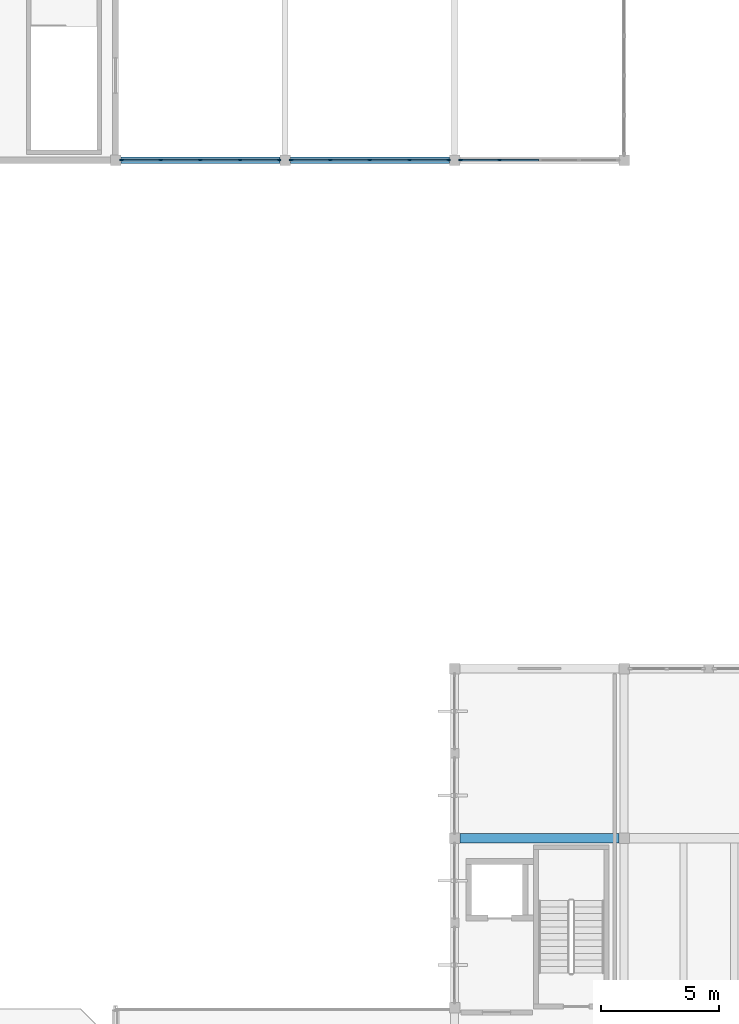
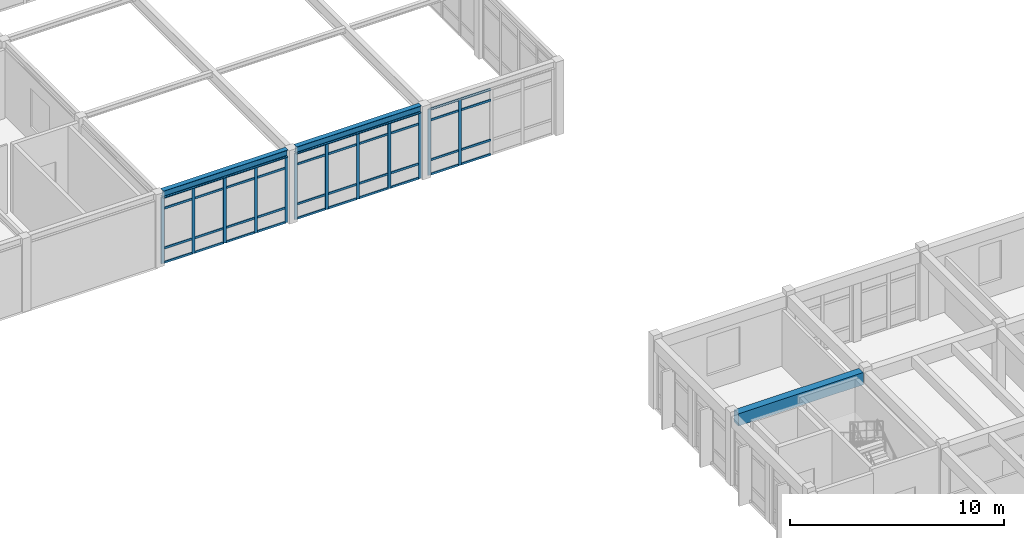
# One storey, part 40 of 136: 52 members, 3 beams, 3 elements without a shape of their own.
"""IFC4 building model written with IfcOpenShell, lengths in metres."""

from ifc_helpers import new_model, si_unit, direction, frame, origin, origin_2d, place, context, subcontext, project, spatial, rectangle, i_section, extrude, material, layer, layer_set, material_profile, profile_set, type_object, element, aggregate, save


model = new_model("IFC4")

# Units and contexts
model_context = context("Model", 3, precision=1e-05, world=origin(), true_north=direction((0.0, 1.0)))
body_context = subcontext(model_context, "Body", "Model", "MODEL_VIEW")
ifc_project = project(units=[si_unit("LENGTHUNIT", "METRE"), si_unit("AREAUNIT", "SQUARE_METRE"), si_unit("VOLUMEUNIT", "CUBIC_METRE"), si_unit("PLANEANGLEUNIT", "RADIAN"), si_unit("MASSUNIT", "GRAM", prefix="KILO")], contexts=[model_context])

# Site, building, storey
site_placement = place(None, origin())
site = spatial("IfcSite", under=ifc_project, at=site_placement, CompositionType="ELEMENT")
building_placement = place(site_placement, origin())
building = spatial("IfcBuilding", under=site, at=building_placement, Name="Koriwan Promenade Central Fire Station", CompositionType="ELEMENT")
storey_placement = place(building_placement, frame((0.0, 0.0, 5.39990234375)))
storey = spatial("IfcBuildingStorey", under=building, at=storey_placement, Name="L01", CompositionType="ELEMENT", Elevation=5.39990234375)

# Beam
ifc_material_1 = material(Name="Concrete C35/45", Category="concrete")
ifc_material_profile_1 = material_profile(ifc_material_1, rectangle(XDim=0.39990234375, YDim=0.699951171875, at=origin_2d()), Name="RC-BM-400x700")
ifc_profile_set_1 = profile_set([ifc_material_profile_1], Name="Concrete C35/45")
beam_type_1 = type_object("IfcBeamType", Name="Beam_RC-BM-400x700", PredefinedType="BEAM", material=ifc_profile_set_1)
beam_placement = place(storey_placement, frame((29.02490234375, 64.800048828125, 3.60009765625), z_axis=(1.0, 0.0, 0.0), x_axis=(0.0, 1.0, 0.0)))
element("IfcBeam", 1, at=beam_placement, inside=storey, type_object=beam_type_1, Name="V4 L01 girder X-424", PredefinedType="BEAM", context=body_context, shape_type="SweptSolid", body=[
    extrude(rectangle(XDim=0.39990234375, YDim=0.699951171875, at=origin_2d()), origin(), (0.0, 0.0, 1.0), 6.75),
])

# Curtain wall, members
ifc_material_2 = material(Name="Aluminium EN AW-6063-T6 and low-E glazing", Category="aluminium")
ifc_layer = layer(ifc_material_2, 0.159912109375, Name="Aluminium EN AW-6063-T6 and low-E glazing")
ifc_layer_set = layer_set([ifc_layer], Name="Aluminium EN AW-6063-T6 and low-E glazing")
curtain_wall_type = type_object("IfcCurtainWallType", Name="CurtainWall_94_675x378", PredefinedType="USERDEFINED", material=ifc_layer_set)
curtain_wall_1_placement = place(storey_placement, origin())
curtain_wall_1 = element("IfcCurtainWall", 2, at=curtain_wall_1_placement, inside=storey, type_object=curtain_wall_type, Name="V6 L01 unitised curtain wall 299", ObjectType="UNITISED CURTAIN WALL", PredefinedType="USERDEFINED")
ifc_material_3 = material(Name="Aluminium EN AW-6063-T6", Category="aluminium")
ifc_material_profile_2 = material_profile(ifc_material_3, rectangle(XDim=0.06494140625, YDim=0.159912109375, at=origin_2d()), Name="ALU-MUL-65x160")
ifc_profile_set_2 = profile_set([ifc_material_profile_2], Name="Aluminium EN AW-6063-T6")
member_type_1 = type_object("IfcMemberType", Name="CWMullion_ALU-MUL-65x160", PredefinedType="MULLION", material=ifc_profile_set_2)
member_1_placement = place(storey_placement, frame((14.657470703125, 93.60009765625, 0.0), z_axis=(0.0, 0.0, 1.0), x_axis=(0.0, 1.0, 0.0)))
member_1 = element("IfcMember", 3, at=member_1_placement, type_object=member_type_1, Name="CW-94 mullion 1", PredefinedType="MULLION", context=body_context, shape_type="SweptSolid", body=[
    extrude(rectangle(XDim=0.06494140625, YDim=0.159912109375, at=origin_2d()), origin(), (0.0, 0.0, 1.0), 3.775146484375),
])
member_2_placement = place(storey_placement, frame((16.3125, 93.60009765625, 0.0), z_axis=(0.0, 0.0, 1.0), x_axis=(0.0, 1.0, 0.0)))
member_2 = element("IfcMember", 4, at=member_2_placement, type_object=member_type_1, Name="CW-94 mullion 2", PredefinedType="MULLION", context=body_context, shape_type="SweptSolid", body=[
    extrude(rectangle(XDim=0.06494140625, YDim=0.159912109375, at=origin_2d()), origin(), (0.0, 0.0, 1.0), 3.775146484375),
])
member_3_placement = place(storey_placement, frame((18.0, 93.60009765625, 0.0), z_axis=(0.0, 0.0, 1.0), x_axis=(0.0, 1.0, 0.0)))
member_3 = element("IfcMember", 5, at=member_3_placement, type_object=member_type_1, Name="CW-94 mullion 3", PredefinedType="MULLION", context=body_context, shape_type="SweptSolid", body=[
    extrude(rectangle(XDim=0.06494140625, YDim=0.159912109375, at=origin_2d()), origin(), (0.0, 0.0, 1.0), 3.775146484375),
])
member_4_placement = place(storey_placement, frame((19.6875, 93.60009765625, 0.0), z_axis=(0.0, 0.0, 1.0), x_axis=(0.0, 1.0, 0.0)))
member_4 = element("IfcMember", 6, at=member_4_placement, type_object=member_type_1, Name="CW-94 mullion 4", PredefinedType="MULLION", context=body_context, shape_type="SweptSolid", body=[
    extrude(rectangle(XDim=0.06494140625, YDim=0.159912109375, at=origin_2d()), origin(), (0.0, 0.0, 1.0), 3.775146484375),
])
member_5_placement = place(storey_placement, frame((21.342529296875, 93.60009765625, 0.0), z_axis=(0.0, 0.0, 1.0), x_axis=(0.0, 1.0, 0.0)))
member_5 = element("IfcMember", 7, at=member_5_placement, type_object=member_type_1, Name="CW-94 mullion 5", PredefinedType="MULLION", context=body_context, shape_type="SweptSolid", body=[
    extrude(rectangle(XDim=0.06494140625, YDim=0.159912109375, at=origin_2d()), origin(), (0.0, 0.0, 1.0), 3.775146484375),
])

curtain_wall_2_placement = place(storey_placement, origin())
curtain_wall_2 = element("IfcCurtainWall", 8, at=curtain_wall_2_placement, inside=storey, type_object=curtain_wall_type, Name="V6 L01 unitised curtain wall 301", ObjectType="UNITISED CURTAIN WALL", PredefinedType="USERDEFINED")
member_6_placement = place(storey_placement, frame((21.857421875, 93.60009765625, 0.0), z_axis=(0.0, 0.0, 1.0), x_axis=(0.0, 1.0, 0.0)))
member_6 = element("IfcMember", 9, at=member_6_placement, type_object=member_type_1, Name="CW-94 mullion 1", PredefinedType="MULLION", context=body_context, shape_type="SweptSolid", body=[
    extrude(rectangle(XDim=0.06494140625, YDim=0.159912109375, at=origin_2d()), origin(), (0.0, 0.0, 1.0), 3.775146484375),
])
member_7_placement = place(storey_placement, frame((23.512451171875, 93.60009765625, 0.0), z_axis=(0.0, 0.0, 1.0), x_axis=(0.0, 1.0, 0.0)))
member_7 = element("IfcMember", 10, at=member_7_placement, type_object=member_type_1, Name="CW-94 mullion 2", PredefinedType="MULLION", context=body_context, shape_type="SweptSolid", body=[
    extrude(rectangle(XDim=0.06494140625, YDim=0.159912109375, at=origin_2d()), origin(), (0.0, 0.0, 1.0), 3.775146484375),
])
member_8_placement = place(storey_placement, frame((25.199951171875, 93.60009765625, 0.0), z_axis=(0.0, 0.0, 1.0), x_axis=(0.0, 1.0, 0.0)))
member_8 = element("IfcMember", 11, at=member_8_placement, type_object=member_type_1, Name="CW-94 mullion 3", PredefinedType="MULLION", context=body_context, shape_type="SweptSolid", body=[
    extrude(rectangle(XDim=0.06494140625, YDim=0.159912109375, at=origin_2d()), origin(), (0.0, 0.0, 1.0), 3.775146484375),
])
member_9_placement = place(storey_placement, frame((26.887451171875, 93.60009765625, 0.0), z_axis=(0.0, 0.0, 1.0), x_axis=(0.0, 1.0, 0.0)))
member_9 = element("IfcMember", 12, at=member_9_placement, type_object=member_type_1, Name="CW-94 mullion 4", PredefinedType="MULLION", context=body_context, shape_type="SweptSolid", body=[
    extrude(rectangle(XDim=0.06494140625, YDim=0.159912109375, at=origin_2d()), origin(), (0.0, 0.0, 1.0), 3.775146484375),
])
member_10_placement = place(storey_placement, frame((28.54248046875, 93.60009765625, 0.0), z_axis=(0.0, 0.0, 1.0), x_axis=(0.0, 1.0, 0.0)))
member_10 = element("IfcMember", 13, at=member_10_placement, type_object=member_type_1, Name="CW-94 mullion 5", PredefinedType="MULLION", context=body_context, shape_type="SweptSolid", body=[
    extrude(rectangle(XDim=0.06494140625, YDim=0.159912109375, at=origin_2d()), origin(), (0.0, 0.0, 1.0), 3.775146484375),
])

curtain_wall_3_placement = place(storey_placement, origin())
curtain_wall_3 = element("IfcCurtainWall", 14, at=curtain_wall_3_placement, inside=storey, type_object=curtain_wall_type, Name="V6 L01 unitised curtain wall 303", ObjectType="UNITISED CURTAIN WALL", PredefinedType="USERDEFINED")
member_11_placement = place(storey_placement, frame((29.0576171875, 93.60009765625, 0.0), z_axis=(0.0, 0.0, 1.0), x_axis=(0.0, 1.0, 0.0)))
member_11 = element("IfcMember", 15, at=member_11_placement, type_object=member_type_1, Name="CW-94 mullion 1", PredefinedType="MULLION", context=body_context, shape_type="SweptSolid", body=[
    extrude(rectangle(XDim=0.06494140625, YDim=0.159912109375, at=origin_2d()), origin(), (0.0, 0.0, 1.0), 3.775146484375),
])
member_12_placement = place(storey_placement, frame((30.71240234375, 93.60009765625, 0.0), z_axis=(0.0, 0.0, 1.0), x_axis=(0.0, 1.0, 0.0)))
member_12 = element("IfcMember", 16, at=member_12_placement, type_object=member_type_1, Name="CW-94 mullion 2", PredefinedType="MULLION", context=body_context, shape_type="SweptSolid", body=[
    extrude(rectangle(XDim=0.06494140625, YDim=0.159912109375, at=origin_2d()), origin(), (0.0, 0.0, 1.0), 3.775146484375),
])

# Member
ifc_material_profile_3 = material_profile(ifc_material_3, rectangle(XDim=0.06494140625, YDim=0.1201171875, at=origin_2d()), Name="ALU-TRN-65x120")
ifc_profile_set_3 = profile_set([ifc_material_profile_3], Name="Aluminium EN AW-6063-T6")
member_type_2 = type_object("IfcMemberType", Name="CWTransom_ALU-TRN-65x120", PredefinedType="USERDEFINED", material=ifc_profile_set_3)
member_13_placement = place(storey_placement, frame((14.68994140625, 93.60009765625, 0.03271484375), z_axis=(1.0, 0.0, 0.0), x_axis=(0.0, 1.0, 0.0)))
member_13 = element("IfcMember", 17, at=member_13_placement, type_object=member_type_2, Name="CW-94 transom 1.1", ObjectType="TRANSOM", PredefinedType="USERDEFINED", context=body_context, shape_type="SweptSolid", body=[
    extrude(rectangle(XDim=0.06494140625, YDim=0.1201171875, at=origin_2d()), origin(), (0.0, 0.0, 1.0), 1.590087890625),
])

member_14_placement = place(storey_placement, frame((14.68994140625, 93.60009765625, 0.85009765625), z_axis=(1.0, 0.0, 0.0), x_axis=(0.0, 1.0, 0.0)))
member_14 = element("IfcMember", 18, at=member_14_placement, type_object=member_type_2, Name="CW-94 transom 1.2", ObjectType="TRANSOM", PredefinedType="USERDEFINED", context=body_context, shape_type="SweptSolid", body=[
    extrude(rectangle(XDim=0.06494140625, YDim=0.1201171875, at=origin_2d()), origin(), (0.0, 0.0, 1.0), 1.590087890625),
])

member_15_placement = place(storey_placement, frame((14.68994140625, 93.60009765625, 3.125), z_axis=(1.0, 0.0, 0.0), x_axis=(0.0, 1.0, 0.0)))
member_15 = element("IfcMember", 19, at=member_15_placement, type_object=member_type_2, Name="CW-94 transom 1.3", ObjectType="TRANSOM", PredefinedType="USERDEFINED", context=body_context, shape_type="SweptSolid", body=[
    extrude(rectangle(XDim=0.06494140625, YDim=0.1201171875, at=origin_2d()), origin(), (0.0, 0.0, 1.0), 1.590087890625),
])

member_16_placement = place(storey_placement, frame((14.68994140625, 93.60009765625, 3.74267578125), z_axis=(1.0, 0.0, 0.0), x_axis=(0.0, 1.0, 0.0)))
member_16 = element("IfcMember", 20, at=member_16_placement, type_object=member_type_2, Name="CW-94 transom 1.4", ObjectType="TRANSOM", PredefinedType="USERDEFINED", context=body_context, shape_type="SweptSolid", body=[
    extrude(rectangle(XDim=0.06494140625, YDim=0.1201171875, at=origin_2d()), origin(), (0.0, 0.0, 1.0), 1.590087890625),
])

member_17_placement = place(storey_placement, frame((16.344970703125, 93.60009765625, 0.03271484375), z_axis=(1.0, 0.0, 0.0), x_axis=(0.0, 1.0, 0.0)))
member_17 = element("IfcMember", 21, at=member_17_placement, type_object=member_type_2, Name="CW-94 transom 2.1", ObjectType="TRANSOM", PredefinedType="USERDEFINED", context=body_context, shape_type="SweptSolid", body=[
    extrude(rectangle(XDim=0.06494140625, YDim=0.1201171875, at=origin_2d()), origin(), (0.0, 0.0, 1.0), 1.62255859375),
])

member_18_placement = place(storey_placement, frame((16.344970703125, 93.60009765625, 0.85009765625), z_axis=(1.0, 0.0, 0.0), x_axis=(0.0, 1.0, 0.0)))
member_18 = element("IfcMember", 22, at=member_18_placement, type_object=member_type_2, Name="CW-94 transom 2.2", ObjectType="TRANSOM", PredefinedType="USERDEFINED", context=body_context, shape_type="SweptSolid", body=[
    extrude(rectangle(XDim=0.06494140625, YDim=0.1201171875, at=origin_2d()), origin(), (0.0, 0.0, 1.0), 1.62255859375),
])

member_19_placement = place(storey_placement, frame((16.344970703125, 93.60009765625, 3.125), z_axis=(1.0, 0.0, 0.0), x_axis=(0.0, 1.0, 0.0)))
member_19 = element("IfcMember", 23, at=member_19_placement, type_object=member_type_2, Name="CW-94 transom 2.3", ObjectType="TRANSOM", PredefinedType="USERDEFINED", context=body_context, shape_type="SweptSolid", body=[
    extrude(rectangle(XDim=0.06494140625, YDim=0.1201171875, at=origin_2d()), origin(), (0.0, 0.0, 1.0), 1.62255859375),
])

member_20_placement = place(storey_placement, frame((16.344970703125, 93.60009765625, 3.74267578125), z_axis=(1.0, 0.0, 0.0), x_axis=(0.0, 1.0, 0.0)))
member_20 = element("IfcMember", 24, at=member_20_placement, type_object=member_type_2, Name="CW-94 transom 2.4", ObjectType="TRANSOM", PredefinedType="USERDEFINED", context=body_context, shape_type="SweptSolid", body=[
    extrude(rectangle(XDim=0.06494140625, YDim=0.1201171875, at=origin_2d()), origin(), (0.0, 0.0, 1.0), 1.62255859375),
])

member_21_placement = place(storey_placement, frame((18.032470703125, 93.60009765625, 0.03271484375), z_axis=(1.0, 0.0, 0.0), x_axis=(0.0, 1.0, 0.0)))
member_21 = element("IfcMember", 25, at=member_21_placement, type_object=member_type_2, Name="CW-94 transom 3.1", ObjectType="TRANSOM", PredefinedType="USERDEFINED", context=body_context, shape_type="SweptSolid", body=[
    extrude(rectangle(XDim=0.06494140625, YDim=0.1201171875, at=origin_2d()), origin(), (0.0, 0.0, 1.0), 1.62255859375),
])

member_22_placement = place(storey_placement, frame((18.032470703125, 93.60009765625, 0.85009765625), z_axis=(1.0, 0.0, 0.0), x_axis=(0.0, 1.0, 0.0)))
member_22 = element("IfcMember", 26, at=member_22_placement, type_object=member_type_2, Name="CW-94 transom 3.2", ObjectType="TRANSOM", PredefinedType="USERDEFINED", context=body_context, shape_type="SweptSolid", body=[
    extrude(rectangle(XDim=0.06494140625, YDim=0.1201171875, at=origin_2d()), origin(), (0.0, 0.0, 1.0), 1.62255859375),
])

member_23_placement = place(storey_placement, frame((18.032470703125, 93.60009765625, 3.125), z_axis=(1.0, 0.0, 0.0), x_axis=(0.0, 1.0, 0.0)))
member_23 = element("IfcMember", 27, at=member_23_placement, type_object=member_type_2, Name="CW-94 transom 3.3", ObjectType="TRANSOM", PredefinedType="USERDEFINED", context=body_context, shape_type="SweptSolid", body=[
    extrude(rectangle(XDim=0.06494140625, YDim=0.1201171875, at=origin_2d()), origin(), (0.0, 0.0, 1.0), 1.62255859375),
])

member_24_placement = place(storey_placement, frame((18.032470703125, 93.60009765625, 3.74267578125), z_axis=(1.0, 0.0, 0.0), x_axis=(0.0, 1.0, 0.0)))
member_24 = element("IfcMember", 28, at=member_24_placement, type_object=member_type_2, Name="CW-94 transom 3.4", ObjectType="TRANSOM", PredefinedType="USERDEFINED", context=body_context, shape_type="SweptSolid", body=[
    extrude(rectangle(XDim=0.06494140625, YDim=0.1201171875, at=origin_2d()), origin(), (0.0, 0.0, 1.0), 1.62255859375),
])

member_25_placement = place(storey_placement, frame((19.719970703125, 93.60009765625, 0.03271484375), z_axis=(1.0, 0.0, 0.0), x_axis=(0.0, 1.0, 0.0)))
member_25 = element("IfcMember", 29, at=member_25_placement, type_object=member_type_2, Name="CW-94 transom 4.1", ObjectType="TRANSOM", PredefinedType="USERDEFINED", context=body_context, shape_type="SweptSolid", body=[
    extrude(rectangle(XDim=0.06494140625, YDim=0.1201171875, at=origin_2d()), origin(), (0.0, 0.0, 1.0), 1.590087890625),
])

member_26_placement = place(storey_placement, frame((19.719970703125, 93.60009765625, 0.85009765625), z_axis=(1.0, 0.0, 0.0), x_axis=(0.0, 1.0, 0.0)))
member_26 = element("IfcMember", 30, at=member_26_placement, type_object=member_type_2, Name="CW-94 transom 4.2", ObjectType="TRANSOM", PredefinedType="USERDEFINED", context=body_context, shape_type="SweptSolid", body=[
    extrude(rectangle(XDim=0.06494140625, YDim=0.1201171875, at=origin_2d()), origin(), (0.0, 0.0, 1.0), 1.590087890625),
])

member_27_placement = place(storey_placement, frame((19.719970703125, 93.60009765625, 3.125), z_axis=(1.0, 0.0, 0.0), x_axis=(0.0, 1.0, 0.0)))
member_27 = element("IfcMember", 31, at=member_27_placement, type_object=member_type_2, Name="CW-94 transom 4.3", ObjectType="TRANSOM", PredefinedType="USERDEFINED", context=body_context, shape_type="SweptSolid", body=[
    extrude(rectangle(XDim=0.06494140625, YDim=0.1201171875, at=origin_2d()), origin(), (0.0, 0.0, 1.0), 1.590087890625),
])

member_28_placement = place(storey_placement, frame((19.719970703125, 93.60009765625, 3.74267578125), z_axis=(1.0, 0.0, 0.0), x_axis=(0.0, 1.0, 0.0)))
member_28 = element("IfcMember", 32, at=member_28_placement, type_object=member_type_2, Name="CW-94 transom 4.4", ObjectType="TRANSOM", PredefinedType="USERDEFINED", context=body_context, shape_type="SweptSolid", body=[
    extrude(rectangle(XDim=0.06494140625, YDim=0.1201171875, at=origin_2d()), origin(), (0.0, 0.0, 1.0), 1.590087890625),
])

aggregate(curtain_wall_1, [member_1, member_2, member_3, member_4, member_5, member_13, member_14, member_15, member_16, member_17, member_18, member_19, member_20, member_21, member_22, member_23, member_24, member_25, member_26, member_27, member_28])

member_29_placement = place(storey_placement, frame((21.889892578125, 93.60009765625, 0.03271484375), z_axis=(1.0, 0.0, 0.0), x_axis=(0.0, 1.0, 0.0)))
member_29 = element("IfcMember", 33, at=member_29_placement, type_object=member_type_2, Name="CW-94 transom 1.1", ObjectType="TRANSOM", PredefinedType="USERDEFINED", context=body_context, shape_type="SweptSolid", body=[
    extrude(rectangle(XDim=0.06494140625, YDim=0.1201171875, at=origin_2d()), origin(), (0.0, 0.0, 1.0), 1.590087890625),
])

member_30_placement = place(storey_placement, frame((21.889892578125, 93.60009765625, 0.85009765625), z_axis=(1.0, 0.0, 0.0), x_axis=(0.0, 1.0, 0.0)))
member_30 = element("IfcMember", 34, at=member_30_placement, type_object=member_type_2, Name="CW-94 transom 1.2", ObjectType="TRANSOM", PredefinedType="USERDEFINED", context=body_context, shape_type="SweptSolid", body=[
    extrude(rectangle(XDim=0.06494140625, YDim=0.1201171875, at=origin_2d()), origin(), (0.0, 0.0, 1.0), 1.590087890625),
])

member_31_placement = place(storey_placement, frame((21.889892578125, 93.60009765625, 3.125), z_axis=(1.0, 0.0, 0.0), x_axis=(0.0, 1.0, 0.0)))
member_31 = element("IfcMember", 35, at=member_31_placement, type_object=member_type_2, Name="CW-94 transom 1.3", ObjectType="TRANSOM", PredefinedType="USERDEFINED", context=body_context, shape_type="SweptSolid", body=[
    extrude(rectangle(XDim=0.06494140625, YDim=0.1201171875, at=origin_2d()), origin(), (0.0, 0.0, 1.0), 1.590087890625),
])

member_32_placement = place(storey_placement, frame((21.889892578125, 93.60009765625, 3.74267578125), z_axis=(1.0, 0.0, 0.0), x_axis=(0.0, 1.0, 0.0)))
member_32 = element("IfcMember", 36, at=member_32_placement, type_object=member_type_2, Name="CW-94 transom 1.4", ObjectType="TRANSOM", PredefinedType="USERDEFINED", context=body_context, shape_type="SweptSolid", body=[
    extrude(rectangle(XDim=0.06494140625, YDim=0.1201171875, at=origin_2d()), origin(), (0.0, 0.0, 1.0), 1.590087890625),
])

member_33_placement = place(storey_placement, frame((23.544921875, 93.60009765625, 0.03271484375), z_axis=(1.0, 0.0, 0.0), x_axis=(0.0, 1.0, 0.0)))
member_33 = element("IfcMember", 37, at=member_33_placement, type_object=member_type_2, Name="CW-94 transom 2.1", ObjectType="TRANSOM", PredefinedType="USERDEFINED", context=body_context, shape_type="SweptSolid", body=[
    extrude(rectangle(XDim=0.06494140625, YDim=0.1201171875, at=origin_2d()), origin(), (0.0, 0.0, 1.0), 1.62255859375),
])

member_34_placement = place(storey_placement, frame((23.544921875, 93.60009765625, 0.85009765625), z_axis=(1.0, 0.0, 0.0), x_axis=(0.0, 1.0, 0.0)))
member_34 = element("IfcMember", 38, at=member_34_placement, type_object=member_type_2, Name="CW-94 transom 2.2", ObjectType="TRANSOM", PredefinedType="USERDEFINED", context=body_context, shape_type="SweptSolid", body=[
    extrude(rectangle(XDim=0.06494140625, YDim=0.1201171875, at=origin_2d()), origin(), (0.0, 0.0, 1.0), 1.62255859375),
])

member_35_placement = place(storey_placement, frame((23.544921875, 93.60009765625, 3.125), z_axis=(1.0, 0.0, 0.0), x_axis=(0.0, 1.0, 0.0)))
member_35 = element("IfcMember", 39, at=member_35_placement, type_object=member_type_2, Name="CW-94 transom 2.3", ObjectType="TRANSOM", PredefinedType="USERDEFINED", context=body_context, shape_type="SweptSolid", body=[
    extrude(rectangle(XDim=0.06494140625, YDim=0.1201171875, at=origin_2d()), origin(), (0.0, 0.0, 1.0), 1.62255859375),
])

member_36_placement = place(storey_placement, frame((23.544921875, 93.60009765625, 3.74267578125), z_axis=(1.0, 0.0, 0.0), x_axis=(0.0, 1.0, 0.0)))
member_36 = element("IfcMember", 40, at=member_36_placement, type_object=member_type_2, Name="CW-94 transom 2.4", ObjectType="TRANSOM", PredefinedType="USERDEFINED", context=body_context, shape_type="SweptSolid", body=[
    extrude(rectangle(XDim=0.06494140625, YDim=0.1201171875, at=origin_2d()), origin(), (0.0, 0.0, 1.0), 1.62255859375),
])

member_37_placement = place(storey_placement, frame((25.232421875, 93.60009765625, 0.03271484375), z_axis=(1.0, 0.0, 0.0), x_axis=(0.0, 1.0, 0.0)))
member_37 = element("IfcMember", 41, at=member_37_placement, type_object=member_type_2, Name="CW-94 transom 3.1", ObjectType="TRANSOM", PredefinedType="USERDEFINED", context=body_context, shape_type="SweptSolid", body=[
    extrude(rectangle(XDim=0.06494140625, YDim=0.1201171875, at=origin_2d()), origin(), (0.0, 0.0, 1.0), 1.62255859375),
])

member_38_placement = place(storey_placement, frame((25.232421875, 93.60009765625, 0.85009765625), z_axis=(1.0, 0.0, 0.0), x_axis=(0.0, 1.0, 0.0)))
member_38 = element("IfcMember", 42, at=member_38_placement, type_object=member_type_2, Name="CW-94 transom 3.2", ObjectType="TRANSOM", PredefinedType="USERDEFINED", context=body_context, shape_type="SweptSolid", body=[
    extrude(rectangle(XDim=0.06494140625, YDim=0.1201171875, at=origin_2d()), origin(), (0.0, 0.0, 1.0), 1.62255859375),
])

member_39_placement = place(storey_placement, frame((25.232421875, 93.60009765625, 3.125), z_axis=(1.0, 0.0, 0.0), x_axis=(0.0, 1.0, 0.0)))
member_39 = element("IfcMember", 43, at=member_39_placement, type_object=member_type_2, Name="CW-94 transom 3.3", ObjectType="TRANSOM", PredefinedType="USERDEFINED", context=body_context, shape_type="SweptSolid", body=[
    extrude(rectangle(XDim=0.06494140625, YDim=0.1201171875, at=origin_2d()), origin(), (0.0, 0.0, 1.0), 1.62255859375),
])

member_40_placement = place(storey_placement, frame((25.232421875, 93.60009765625, 3.74267578125), z_axis=(1.0, 0.0, 0.0), x_axis=(0.0, 1.0, 0.0)))
member_40 = element("IfcMember", 44, at=member_40_placement, type_object=member_type_2, Name="CW-94 transom 3.4", ObjectType="TRANSOM", PredefinedType="USERDEFINED", context=body_context, shape_type="SweptSolid", body=[
    extrude(rectangle(XDim=0.06494140625, YDim=0.1201171875, at=origin_2d()), origin(), (0.0, 0.0, 1.0), 1.62255859375),
])

member_41_placement = place(storey_placement, frame((26.919921875, 93.60009765625, 0.03271484375), z_axis=(1.0, 0.0, 0.0), x_axis=(0.0, 1.0, 0.0)))
member_41 = element("IfcMember", 45, at=member_41_placement, type_object=member_type_2, Name="CW-94 transom 4.1", ObjectType="TRANSOM", PredefinedType="USERDEFINED", context=body_context, shape_type="SweptSolid", body=[
    extrude(rectangle(XDim=0.06494140625, YDim=0.1201171875, at=origin_2d()), origin(), (0.0, 0.0, 1.0), 1.590087890625),
])

member_42_placement = place(storey_placement, frame((26.919921875, 93.60009765625, 0.85009765625), z_axis=(1.0, 0.0, 0.0), x_axis=(0.0, 1.0, 0.0)))
member_42 = element("IfcMember", 46, at=member_42_placement, type_object=member_type_2, Name="CW-94 transom 4.2", ObjectType="TRANSOM", PredefinedType="USERDEFINED", context=body_context, shape_type="SweptSolid", body=[
    extrude(rectangle(XDim=0.06494140625, YDim=0.1201171875, at=origin_2d()), origin(), (0.0, 0.0, 1.0), 1.590087890625),
])

member_43_placement = place(storey_placement, frame((26.919921875, 93.60009765625, 3.125), z_axis=(1.0, 0.0, 0.0), x_axis=(0.0, 1.0, 0.0)))
member_43 = element("IfcMember", 47, at=member_43_placement, type_object=member_type_2, Name="CW-94 transom 4.3", ObjectType="TRANSOM", PredefinedType="USERDEFINED", context=body_context, shape_type="SweptSolid", body=[
    extrude(rectangle(XDim=0.06494140625, YDim=0.1201171875, at=origin_2d()), origin(), (0.0, 0.0, 1.0), 1.590087890625),
])

member_44_placement = place(storey_placement, frame((26.919921875, 93.60009765625, 3.74267578125), z_axis=(1.0, 0.0, 0.0), x_axis=(0.0, 1.0, 0.0)))
member_44 = element("IfcMember", 48, at=member_44_placement, type_object=member_type_2, Name="CW-94 transom 4.4", ObjectType="TRANSOM", PredefinedType="USERDEFINED", context=body_context, shape_type="SweptSolid", body=[
    extrude(rectangle(XDim=0.06494140625, YDim=0.1201171875, at=origin_2d()), origin(), (0.0, 0.0, 1.0), 1.590087890625),
])

aggregate(curtain_wall_2, [member_6, member_7, member_8, member_9, member_10, member_29, member_30, member_31, member_32, member_33, member_34, member_35, member_36, member_37, member_38, member_39, member_40, member_41, member_42, member_43, member_44])

member_45_placement = place(storey_placement, frame((29.090087890625, 93.60009765625, 0.03271484375), z_axis=(1.0, 0.0, 0.0), x_axis=(0.0, 1.0, 0.0)))
member_45 = element("IfcMember", 49, at=member_45_placement, type_object=member_type_2, Name="CW-94 transom 1.1", ObjectType="TRANSOM", PredefinedType="USERDEFINED", context=body_context, shape_type="SweptSolid", body=[
    extrude(rectangle(XDim=0.06494140625, YDim=0.1201171875, at=origin_2d()), origin(), (0.0, 0.0, 1.0), 1.58984375),
])

member_46_placement = place(storey_placement, frame((29.090087890625, 93.60009765625, 0.85009765625), z_axis=(1.0, 0.0, 0.0), x_axis=(0.0, 1.0, 0.0)))
member_46 = element("IfcMember", 50, at=member_46_placement, type_object=member_type_2, Name="CW-94 transom 1.2", ObjectType="TRANSOM", PredefinedType="USERDEFINED", context=body_context, shape_type="SweptSolid", body=[
    extrude(rectangle(XDim=0.06494140625, YDim=0.1201171875, at=origin_2d()), origin(), (0.0, 0.0, 1.0), 1.58984375),
])

member_47_placement = place(storey_placement, frame((29.090087890625, 93.60009765625, 3.125), z_axis=(1.0, 0.0, 0.0), x_axis=(0.0, 1.0, 0.0)))
member_47 = element("IfcMember", 51, at=member_47_placement, type_object=member_type_2, Name="CW-94 transom 1.3", ObjectType="TRANSOM", PredefinedType="USERDEFINED", context=body_context, shape_type="SweptSolid", body=[
    extrude(rectangle(XDim=0.06494140625, YDim=0.1201171875, at=origin_2d()), origin(), (0.0, 0.0, 1.0), 1.58984375),
])

member_48_placement = place(storey_placement, frame((29.090087890625, 93.60009765625, 3.74267578125), z_axis=(1.0, 0.0, 0.0), x_axis=(0.0, 1.0, 0.0)))
member_48 = element("IfcMember", 52, at=member_48_placement, type_object=member_type_2, Name="CW-94 transom 1.4", ObjectType="TRANSOM", PredefinedType="USERDEFINED", context=body_context, shape_type="SweptSolid", body=[
    extrude(rectangle(XDim=0.06494140625, YDim=0.1201171875, at=origin_2d()), origin(), (0.0, 0.0, 1.0), 1.58984375),
])

member_49_placement = place(storey_placement, frame((30.7451171875, 93.60009765625, 0.03271484375), z_axis=(1.0, 0.0, 0.0), x_axis=(0.0, 1.0, 0.0)))
member_49 = element("IfcMember", 53, at=member_49_placement, type_object=member_type_2, Name="CW-94 transom 2.1", ObjectType="TRANSOM", PredefinedType="USERDEFINED", context=body_context, shape_type="SweptSolid", body=[
    extrude(rectangle(XDim=0.06494140625, YDim=0.1201171875, at=origin_2d()), origin(), (0.0, 0.0, 1.0), 1.622314453125),
])

member_50_placement = place(storey_placement, frame((30.7451171875, 93.60009765625, 0.85009765625), z_axis=(1.0, 0.0, 0.0), x_axis=(0.0, 1.0, 0.0)))
member_50 = element("IfcMember", 54, at=member_50_placement, type_object=member_type_2, Name="CW-94 transom 2.2", ObjectType="TRANSOM", PredefinedType="USERDEFINED", context=body_context, shape_type="SweptSolid", body=[
    extrude(rectangle(XDim=0.06494140625, YDim=0.1201171875, at=origin_2d()), origin(), (0.0, 0.0, 1.0), 1.622314453125),
])

member_51_placement = place(storey_placement, frame((30.7451171875, 93.60009765625, 3.125), z_axis=(1.0, 0.0, 0.0), x_axis=(0.0, 1.0, 0.0)))
member_51 = element("IfcMember", 55, at=member_51_placement, type_object=member_type_2, Name="CW-94 transom 2.3", ObjectType="TRANSOM", PredefinedType="USERDEFINED", context=body_context, shape_type="SweptSolid", body=[
    extrude(rectangle(XDim=0.06494140625, YDim=0.1201171875, at=origin_2d()), origin(), (0.0, 0.0, 1.0), 1.622314453125),
])

member_52_placement = place(storey_placement, frame((30.7451171875, 93.60009765625, 3.74267578125), z_axis=(1.0, 0.0, 0.0), x_axis=(0.0, 1.0, 0.0)))
member_52 = element("IfcMember", 56, at=member_52_placement, type_object=member_type_2, Name="CW-94 transom 2.4", ObjectType="TRANSOM", PredefinedType="USERDEFINED", context=body_context, shape_type="SweptSolid", body=[
    extrude(rectangle(XDim=0.06494140625, YDim=0.1201171875, at=origin_2d()), origin(), (0.0, 0.0, 1.0), 1.622314453125),
])

aggregate(curtain_wall_3, [member_11, member_12, member_45, member_46, member_47, member_48, member_49, member_50, member_51, member_52])

# Beams
ifc_material_4 = material(Name="Steel ASTM A992 Grade 50", Category="steel")
ifc_material_profile_4 = material_profile(ifc_material_4, i_section(OverallWidth=0.260009765625, OverallDepth=0.4150390625, WebThickness=0.010009765625, FlangeThickness=0.016845703125, FilletRadius=0.01611328125, at=origin_2d()), Name="W410x100")
ifc_profile_set_4 = profile_set([ifc_material_profile_4], Name="Steel ASTM A992 Grade 50")
beam_type_2 = type_object("IfcBeamType", Name="SteelBeam_W410x100", PredefinedType="BEAM", material=ifc_profile_set_4)
for number, where, z_axis, x_axis, name in (
    (57, (14.625, 93.60009765625, 3.99267578125), (1.0, 0.0, 0.0), (0.0, 1.0, 0.0), "V6 L01 girder X-1047"),
    (58, (21.824951171875, 93.60009765625, 3.99267578125), (1.0, 0.0, 0.0), (0.0, 1.0, 0.0), "V6 L01 girder X-1048"),
):
    element("IfcBeam", number, at=place(storey_placement, frame(where, z_axis=z_axis, x_axis=x_axis)), inside=storey, type_object=beam_type_2, Name=name, PredefinedType="BEAM", context=body_context, shape_type="SweptSolid", body=[
        extrude(i_section(OverallWidth=0.260009765625, OverallDepth=0.4150390625, WebThickness=0.010009765625, FlangeThickness=0.016845703125, FilletRadius=0.01611328125, at=origin_2d()), origin(), (0.0, 0.0, 1.0), 6.75),
    ])

save(model, "model.ifc")
